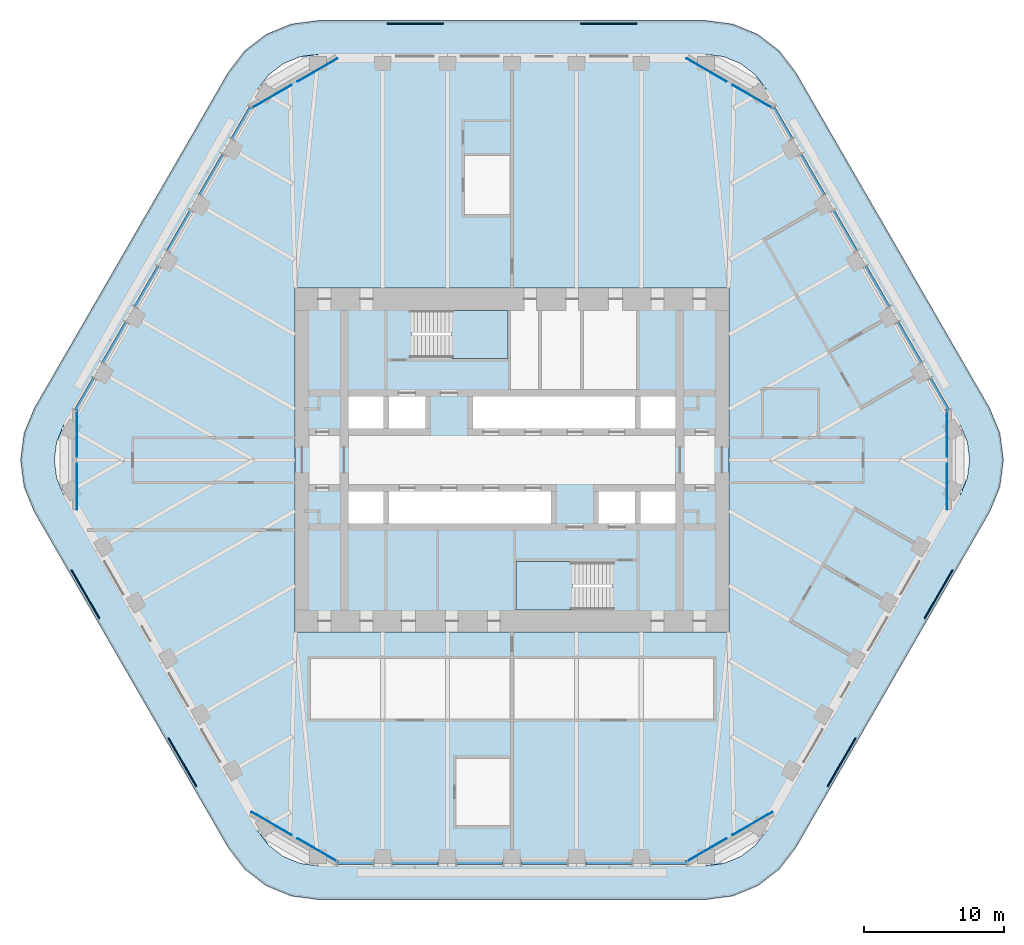
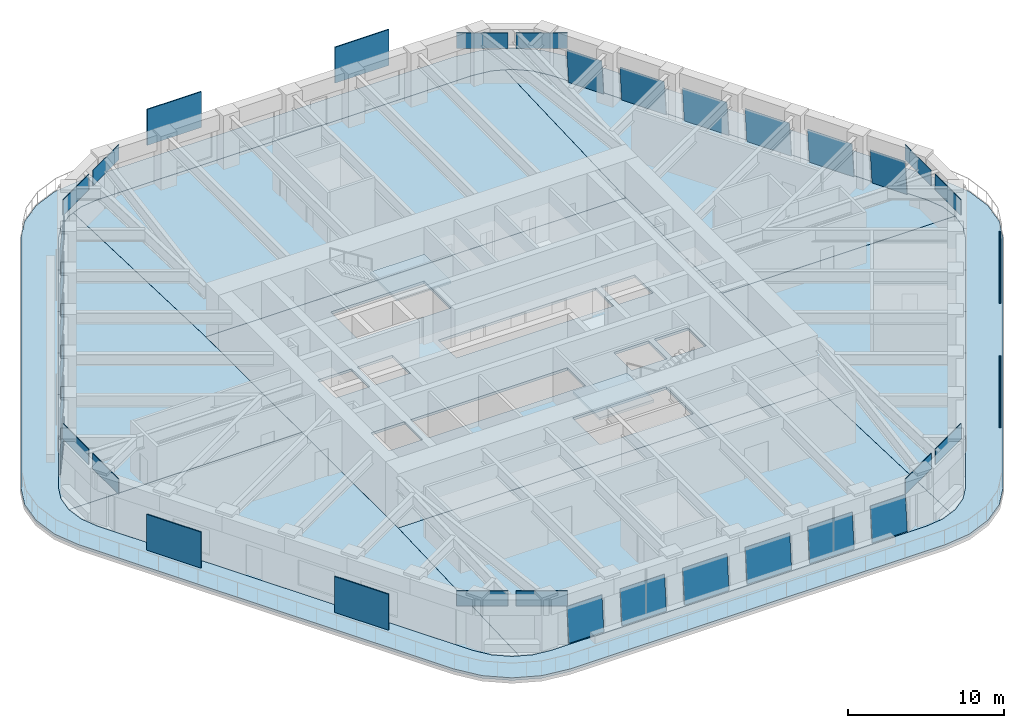
# One storey, part 13 of 20: 36 plates, 10 slabs, 20 elements without a shape of their own.
"""IFC4 building model written with IfcOpenShell, lengths in metres."""

from ifc_helpers import new_model, si_unit, direction, frame, origin, origin_2d, place, context, subcontext, project, spatial, polyline, rectangle, outline, extrude, material, layer, layer_set, type_object, element, aggregate, save


model = new_model("IFC4")

# Units and contexts
model_context = context("Model", 3, precision=1e-05, world=origin(), true_north=direction((0.0, 1.0)))
body_context = subcontext(model_context, "Body", "Model", "MODEL_VIEW")
ifc_project = project(units=[si_unit("LENGTHUNIT", "METRE"), si_unit("AREAUNIT", "SQUARE_METRE"), si_unit("VOLUMEUNIT", "CUBIC_METRE"), si_unit("PLANEANGLEUNIT", "RADIAN"), si_unit("MASSUNIT", "GRAM", prefix="KILO")], contexts=[model_context])

# Site, building, storey
site_placement = place(None, origin())
site = spatial("IfcSite", under=ifc_project, at=site_placement, CompositionType="ELEMENT")
building_placement = place(site_placement, origin())
building = spatial("IfcBuilding", under=site, at=building_placement, Name="Tarfa Lantern Tower", CompositionType="ELEMENT")
storey_placement = place(building_placement, frame((0.0, 0.0, 265.89990234375)))
storey = spatial("IfcBuildingStorey", under=building, at=storey_placement, Name="L60", CompositionType="ELEMENT", Elevation=265.89990234375)

# Slab
ifc_material_1 = material(Name="Concrete C40/50", Category="concrete")
ifc_layer_1 = layer(ifc_material_1, 0.199951171875)
ifc_layer_set_1 = layer_set([ifc_layer_1], Name="BS2 BALCONY SLAB 200")
slab_type_1 = type_object("IfcSlabType", Name="BS2 BALCONY SLAB 200", PredefinedType="FLOOR", material=ifc_layer_set_1)
slab_1_placement = place(storey_placement, frame((0.0, 0.0, -0.199951171875)))
element("IfcSlab", 1, at=slab_1_placement, inside=storey, type_object=slab_type_1, Name="Balcony L60", PredefinedType="FLOOR", context=body_context, shape_type="SweptSolid", body=[
    extrude(outline(polyline([(34.121337890625, 3.699951171875), (20.264892578125, 27.699951171875), (19.089111328125, 29.232666015625), (17.556396484375, 30.40869140625), (15.771728515625, 31.14794921875), (13.8564453125, 31.39990234375), (-13.8564453125, 31.39990234375), (-15.771728515625, 31.14794921875), (-17.556396484375, 30.40869140625), (-19.089111328125, 29.232666015625), (-20.264892578125, 27.699951171875), (-34.121337890625, 3.699951171875), (-34.860595703125, 1.915283203125), (-35.11279296875, 0.0), (-34.860595703125, -1.915283203125), (-34.121337890625, -3.699951171875), (-20.264892578125, -27.699951171875), (-19.089111328125, -29.232666015625), (-17.556396484375, -30.40869140625), (-15.771728515625, -31.14794921875), (-13.8564453125, -31.39990234375), (13.8564453125, -31.39990234375), (15.771728515625, -31.14794921875), (17.556396484375, -30.40869140625), (19.089111328125, -29.232666015625), (20.264892578125, -27.699951171875), (34.121337890625, -3.699951171875), (34.860595703125, -1.915283203125), (35.11279296875, 0.0), (34.860595703125, 1.915283203125), (34.121337890625, 3.699951171875)]), holes=[polyline([(32.04296875, 2.5), (18.1865234375, 26.5), (17.391845703125, 27.53564453125), (16.3564453125, 28.330078125), (15.150390625, 28.82958984375), (13.8564453125, 29.0), (-13.8564453125, 29.0), (-15.150390625, 28.82958984375), (-16.3564453125, 28.330078125), (-17.391845703125, 27.53564453125), (-18.1865234375, 26.5), (-32.04296875, 2.5), (-32.54248046875, 1.294189453125), (-32.712890625, 0.0), (-32.54248046875, -1.294189453125), (-32.04296875, -2.5), (-18.1865234375, -26.5), (-17.391845703125, -27.53564453125), (-16.3564453125, -28.330078125), (-15.150390625, -28.82958984375), (-13.8564453125, -29.0), (13.8564453125, -29.0), (15.150390625, -28.82958984375), (16.3564453125, -28.330078125), (17.391845703125, -27.53564453125), (18.1865234375, -26.5), (32.04296875, -2.5), (32.54248046875, -1.294189453125), (32.712890625, 0.0), (32.54248046875, 1.294189453125), (32.04296875, 2.5)])]), origin(), (0.0, 0.0, 1.0), 0.199951171875),
])

# Curtain wall, plate
ifc_material_2 = material(Name="Aluminium framed curtain wall", Category="aluminium")
curtain_wall_type = type_object("IfcCurtainWallType", Name="CW3 CANTED GLAZING HIGH ZONE 2800", PredefinedType="USERDEFINED", material=ifc_material_2)
curtain_wall_1_placement = place(storey_placement, origin())
curtain_wall_1 = element("IfcCurtainWall", 2, at=curtain_wall_1_placement, inside=storey, type_object=curtain_wall_type, Name="CW3 NE L60", ObjectType="CURTAIN WALL", PredefinedType="USERDEFINED")
ifc_material_3 = material(Name="Laminated double glazing", Category="glass")
ifc_layer_2 = layer(ifc_material_3, 0.028076171875)
ifc_layer_set_2 = layer_set([ifc_layer_2], Name="CWP1 DOUBLE GLAZED PANEL")
plate_type_1 = type_object("IfcPlateType", Name="CWP1 DOUBLE GLAZED PANEL", PredefinedType="CURTAIN_PANEL", material=ifc_layer_set_2)
plate_1_placement = place(storey_placement, frame((31.27392578125, 3.632080078125, 0.0), z_axis=(0.862605487661, 0.497996623416, 0.088944565453), x_axis=(-0.499978528097, 0.866037800231, 3.617793e-06)))
plate_1 = element("IfcPlate", 3, at=plate_1_placement, type_object=plate_type_1, Name="CW3 panel 1.1", PredefinedType="CURTAIN_PANEL", context=body_context, shape_type="SweptSolid", body=[
    extrude(outline(polyline([(0.0, 0.0), (2.5887966981179544, 1.3877787807814457e-17), (2.5887974391712834, 2.745981540411079), (0.00012280612366526554, 2.7460003459662934), (0.0, 0.0)])), origin(), (0.0, 0.0, -1.0), 0.028076171875),
])
aggregate(curtain_wall_1, [plate_1])

curtain_wall_2_placement = place(storey_placement, origin())
curtain_wall_2 = element("IfcCurtainWall", 4, at=curtain_wall_2_placement, inside=storey, type_object=curtain_wall_type, Name="CW3 NE L60", ObjectType="CURTAIN WALL", PredefinedType="USERDEFINED")
plate_2_placement = place(storey_placement, frame((29.314453125, 7.02587890625, 0.0), z_axis=(0.862575705038, 0.498055027356, 0.088906370994), x_axis=(-0.500035172766, 0.866005095826, 0.0)))
plate_2 = element("IfcPlate", 5, at=plate_2_placement, type_object=plate_type_1, Name="CW3 panel 1.1", PredefinedType="CURTAIN_PANEL", context=body_context, shape_type="SweptSolid", body=[
    extrude(outline(polyline([(0.0, 0.0), (3.2888311454247456, -2.7755575615628914e-17), (3.288837959805127, 2.7459815424216334), (6.8143803815395865e-06, 2.7459815424216334), (0.0, 0.0)])), origin(), (0.0, 0.0, -1.0), 0.028076171875),
])
aggregate(curtain_wall_2, [plate_2])

curtain_wall_3_placement = place(storey_placement, origin())
curtain_wall_3 = element("IfcCurtainWall", 6, at=curtain_wall_3_placement, inside=storey, type_object=curtain_wall_type, Name="CW3 NE L60", ObjectType="CURTAIN WALL", PredefinedType="USERDEFINED")
plate_3_placement = place(storey_placement, frame((27.005126953125, 11.02587890625, 0.0), z_axis=(0.862588760912, 0.498025595673, 0.088944564774), x_axis=(-0.500007556049, 0.866021041249, 2.847683e-06)))
plate_3 = element("IfcPlate", 7, at=plate_3_placement, type_object=plate_type_1, Name="CW3 panel 1.1", PredefinedType="CURTAIN_PANEL", context=body_context, shape_type="SweptSolid", body=[
    extrude(outline(polyline([(0.0, 0.0), (3.2888311437391393, -2.7755575615628914e-17), (3.288837961490737, 2.745981540402794), (0.00012888990883615277, 2.7460003456875546), (0.0, 0.0)])), origin(), (0.0, 0.0, -1.0), 0.028076171875),
])
aggregate(curtain_wall_3, [plate_3])

curtain_wall_4_placement = place(storey_placement, origin())
curtain_wall_4 = element("IfcCurtainWall", 8, at=curtain_wall_4_placement, inside=storey, type_object=curtain_wall_type, Name="CW3 NE L60", ObjectType="CURTAIN WALL", PredefinedType="USERDEFINED")
plate_4_placement = place(storey_placement, frame((24.695556640625, 15.02587890625, 0.0), z_axis=(0.862607722597, 0.497999572406, 0.08890637097), x_axis=(-0.499979497339, 0.866037240677, 0.0)))
plate_4 = element("IfcPlate", 9, at=plate_4_placement, type_object=plate_type_1, Name="CW3 panel 1.1", PredefinedType="CURTAIN_PANEL", context=body_context, shape_type="SweptSolid", body=[
    extrude(outline(polyline([(0.0, 0.0), (3.2887090733213356, 0.0), (3.2887001925491877, 2.745981542415729), (-8.880772147612515e-06, 2.745981542415729), (0.0, 0.0)])), origin(), (0.0, 0.0, -1.0), 0.028076171875),
])
aggregate(curtain_wall_4, [plate_4])

curtain_wall_5_placement = place(storey_placement, origin())
curtain_wall_5 = element("IfcCurtainWall", 10, at=curtain_wall_5_placement, inside=storey, type_object=curtain_wall_type, Name="CW3 NE L60", ObjectType="CURTAIN WALL", PredefinedType="USERDEFINED")
plate_5_placement = place(storey_placement, frame((22.38623046875, 19.02587890625, 0.0), z_axis=(0.862588760912, 0.498025595673, 0.088944564774), x_axis=(-0.500007115594, 0.866021295551, -2.847789e-06)))
plate_5 = element("IfcPlate", 11, at=plate_5_placement, type_object=plate_type_1, Name="CW3 panel 1.1", PredefinedType="CURTAIN_PANEL", context=body_context, shape_type="SweptSolid", body=[
    extrude(outline(polyline([(0.0, 0.0), (3.288709071635666, 0.0), (3.2888222595418823, 2.746000346379671), (-8.884143489794055e-06, 2.7459815403968855), (0.0, 0.0)])), origin(), (0.0, 0.0, -1.0), 0.028076171875),
])
aggregate(curtain_wall_5, [plate_5])

curtain_wall_6_placement = place(storey_placement, origin())
curtain_wall_6 = element("IfcCurtainWall", 12, at=curtain_wall_6_placement, inside=storey, type_object=curtain_wall_type, Name="CW3 NE L60", ObjectType="CURTAIN WALL", PredefinedType="USERDEFINED")
plate_6_placement = place(storey_placement, frame((20.076904296875, 23.02587890625, 0.0), z_axis=(0.862605487661, 0.497996623416, 0.088944565453), x_axis=(-0.499978528097, 0.866037800231, 3.617793e-06)))
plate_6 = element("IfcPlate", 13, at=plate_6_placement, type_object=plate_type_1, Name="CW3 panel 1.1", PredefinedType="CURTAIN_PANEL", context=body_context, shape_type="SweptSolid", body=[
    extrude(outline(polyline([(0.0, 0.0), (2.5887966981179544, 1.3877787807814457e-17), (2.5887974391712834, 2.745981540411079), (0.00012280612366526554, 2.7460003459662934), (0.0, 0.0)])), origin(), (0.0, 0.0, -1.0), 0.028076171875),
])
aggregate(curtain_wall_6, [plate_6])

curtain_wall_7_placement = place(storey_placement, origin())
curtain_wall_7 = element("IfcCurtainWall", 14, at=curtain_wall_7_placement, inside=storey, type_object=curtain_wall_type, Name="CW3 NW L60", ObjectType="CURTAIN WALL", PredefinedType="USERDEFINED")
plate_7_placement = place(storey_placement, frame((-18.782470703125, 25.267822265625, 0.0), z_axis=(-0.862605487661, 0.497996623416, 0.088944565453), x_axis=(-0.499978528097, -0.866037800231, -3.617793e-06)))
plate_7 = element("IfcPlate", 15, at=plate_7_placement, type_object=plate_type_1, Name="CW3 panel 1.1", PredefinedType="CURTAIN_PANEL", context=body_context, shape_type="SweptSolid", body=[
    extrude(outline(polyline([(0.0, 0.0), (2.5887966981179544, -1.3877787807814457e-17), (2.588673891994289, 2.7460003459662934), (-7.410533290658136e-07, 2.745981540411079), (0.0, 0.0)])), origin(), (0.0, 0.0, -1.0), 0.028076171875),
])
aggregate(curtain_wall_7, [plate_7])

curtain_wall_8_placement = place(storey_placement, origin())
curtain_wall_8 = element("IfcCurtainWall", 16, at=curtain_wall_8_placement, inside=storey, type_object=curtain_wall_type, Name="CW3 NW L60", ObjectType="CURTAIN WALL", PredefinedType="USERDEFINED")
plate_8_placement = place(storey_placement, frame((-20.741943359375, 21.8740234375, 0.0), z_axis=(-0.862588760912, 0.498025595673, 0.088944564774), x_axis=(-0.500007115594, -0.866021295551, 2.847789e-06)))
plate_8 = element("IfcPlate", 17, at=plate_8_placement, type_object=plate_type_1, Name="CW3 panel 1.1", PredefinedType="CURTAIN_PANEL", context=body_context, shape_type="SweptSolid", body=[
    extrude(outline(polyline([(0.0, 0.0), (3.288709071635666, 0.0), (3.2887179557791564, 2.7459815403968855), (-0.00011318790621565488, 2.746000346379671), (0.0, 0.0)])), origin(), (0.0, 0.0, -1.0), 0.028076171875),
])
aggregate(curtain_wall_8, [plate_8])

curtain_wall_9_placement = place(storey_placement, origin())
curtain_wall_9 = element("IfcCurtainWall", 18, at=curtain_wall_9_placement, inside=storey, type_object=curtain_wall_type, Name="CW3 NW L60", ObjectType="CURTAIN WALL", PredefinedType="USERDEFINED")
plate_9_placement = place(storey_placement, frame((-23.05126953125, 17.8740234375, 0.0), z_axis=(-0.862607722597, 0.497999572406, 0.08890637097), x_axis=(-0.499979497339, -0.866037240677, 0.0)))
plate_9 = element("IfcPlate", 19, at=plate_9_placement, type_object=plate_type_1, Name="CW3 panel 1.1", PredefinedType="CURTAIN_PANEL", context=body_context, shape_type="SweptSolid", body=[
    extrude(outline(polyline([(0.0, 0.0), (3.2887090733213356, 0.0), (3.288717954093483, 2.745981542415729), (8.880772147612515e-06, 2.745981542415729), (0.0, 0.0)])), origin(), (0.0, 0.0, -1.0), 0.028076171875),
])
aggregate(curtain_wall_9, [plate_9])

curtain_wall_10_placement = place(storey_placement, origin())
curtain_wall_10 = element("IfcCurtainWall", 20, at=curtain_wall_10_placement, inside=storey, type_object=curtain_wall_type, Name="CW3 NW L60", ObjectType="CURTAIN WALL", PredefinedType="USERDEFINED")
plate_10_placement = place(storey_placement, frame((-25.360595703125, 13.8740234375, 0.0), z_axis=(-0.862588760912, 0.498025595673, 0.088944564774), x_axis=(-0.500007556049, -0.866021041249, -2.847683e-06)))
plate_10 = element("IfcPlate", 21, at=plate_10_placement, type_object=plate_type_1, Name="CW3 panel 1.1", PredefinedType="CURTAIN_PANEL", context=body_context, shape_type="SweptSolid", body=[
    extrude(outline(polyline([(0.0, 0.0), (3.2888311437391393, 2.7755575615628914e-17), (3.2887022538303037, 2.7460003456875546), (-6.817751597527018e-06, 2.745981540402794), (0.0, 0.0)])), origin(), (0.0, 0.0, -1.0), 0.028076171875),
])
aggregate(curtain_wall_10, [plate_10])

curtain_wall_11_placement = place(storey_placement, origin())
curtain_wall_11 = element("IfcCurtainWall", 22, at=curtain_wall_11_placement, inside=storey, type_object=curtain_wall_type, Name="CW3 NW L60", ObjectType="CURTAIN WALL", PredefinedType="USERDEFINED")
plate_11_placement = place(storey_placement, frame((-27.669921875, 9.8740234375, 0.0), z_axis=(-0.862575705038, 0.498055027356, 0.088906370994), x_axis=(-0.500035172766, -0.866005095826, 0.0)))
plate_11 = element("IfcPlate", 23, at=plate_11_placement, type_object=plate_type_1, Name="CW3 panel 1.1", PredefinedType="CURTAIN_PANEL", context=body_context, shape_type="SweptSolid", body=[
    extrude(outline(polyline([(0.0, 0.0), (3.2888311454247456, 2.7755575615628914e-17), (3.2888243310443643, 2.7459815424216334), (-6.8143803815395865e-06, 2.7459815424216334), (0.0, 0.0)])), origin(), (0.0, 0.0, -1.0), 0.028076171875),
])
aggregate(curtain_wall_11, [plate_11])

curtain_wall_12_placement = place(storey_placement, origin())
curtain_wall_12 = element("IfcCurtainWall", 24, at=curtain_wall_12_placement, inside=storey, type_object=curtain_wall_type, Name="CW3 NW L60", ObjectType="CURTAIN WALL", PredefinedType="USERDEFINED")
plate_12_placement = place(storey_placement, frame((-29.9794921875, 5.8740234375, 0.0), z_axis=(-0.862605487661, 0.497996623416, 0.088944565453), x_axis=(-0.499978528097, -0.866037800231, -3.617793e-06)))
plate_12 = element("IfcPlate", 25, at=plate_12_placement, type_object=plate_type_1, Name="CW3 panel 1.1", PredefinedType="CURTAIN_PANEL", context=body_context, shape_type="SweptSolid", body=[
    extrude(outline(polyline([(0.0, 0.0), (2.5887966981179544, -1.3877787807814457e-17), (2.588673891994289, 2.7460003459662934), (-7.410533290658136e-07, 2.745981540411079), (0.0, 0.0)])), origin(), (0.0, 0.0, -1.0), 0.028076171875),
])
aggregate(curtain_wall_12, [plate_12])

curtain_wall_13_placement = place(storey_placement, origin())
curtain_wall_13 = element("IfcCurtainWall", 26, at=curtain_wall_13_placement, inside=storey, type_object=curtain_wall_type, Name="CW3 S L60", ObjectType="CURTAIN WALL", PredefinedType="USERDEFINED")
plate_13_placement = place(storey_placement, frame((-12.491455078125, -28.89990234375, 0.0), z_axis=(0.0, -0.996039814532, 0.088908311571), x_axis=(1.0, 0.0, 0.0)))
plate_13 = element("IfcPlate", 27, at=plate_13_placement, type_object=plate_type_1, Name="CW3 panel 1.1", PredefinedType="CURTAIN_PANEL", context=body_context, shape_type="SweptSolid", body=[
    extrude(outline(polyline([(0.0, 0.0), (2.5888671875, 0.0), (2.5888671875, 2.745982019965007), (0.0, 2.745982019965007), (0.0, 0.0)])), origin(), (0.0, 0.0, -1.0), 0.028076171875),
])
aggregate(curtain_wall_13, [plate_13])

curtain_wall_14_placement = place(storey_placement, origin())
curtain_wall_14 = element("IfcCurtainWall", 28, at=curtain_wall_14_placement, inside=storey, type_object=curtain_wall_type, Name="CW3 S L60", ObjectType="CURTAIN WALL", PredefinedType="USERDEFINED")
plate_14_placement = place(storey_placement, frame((-8.572509765625, -28.89990234375, 0.0), z_axis=(0.0, -0.996039814532, 0.088908311571), x_axis=(1.0, 0.0, 0.0)))
plate_14 = element("IfcPlate", 29, at=plate_14_placement, type_object=plate_type_1, Name="CW3 panel 1.1", PredefinedType="CURTAIN_PANEL", context=body_context, shape_type="SweptSolid", body=[
    extrude(outline(polyline([(0.0, 0.0), (3.288818359375, 0.0), (3.288818359375, 2.745982019965007), (0.0, 2.745982019965007), (0.0, 0.0)])), origin(), (0.0, 0.0, -1.0), 0.028076171875),
])
aggregate(curtain_wall_14, [plate_14])

curtain_wall_15_placement = place(storey_placement, origin())
curtain_wall_15 = element("IfcCurtainWall", 30, at=curtain_wall_15_placement, inside=storey, type_object=curtain_wall_type, Name="CW3 S L60", ObjectType="CURTAIN WALL", PredefinedType="USERDEFINED")
plate_15_placement = place(storey_placement, frame((-3.953857421875, -28.89990234375, 0.0), z_axis=(0.0, -0.996039814532, 0.088908311571), x_axis=(1.0, 0.0, 0.0)))
plate_15 = element("IfcPlate", 31, at=plate_15_placement, type_object=plate_type_1, Name="CW3 panel 1.1", PredefinedType="CURTAIN_PANEL", context=body_context, shape_type="SweptSolid", body=[
    extrude(outline(polyline([(0.0, 0.0), (3.288818359375, 0.0), (3.288818359375, 2.745982019965007), (0.0, 2.745982019965007), (0.0, 0.0)])), origin(), (0.0, 0.0, -1.0), 0.028076171875),
])
aggregate(curtain_wall_15, [plate_15])

curtain_wall_16_placement = place(storey_placement, origin())
curtain_wall_16 = element("IfcCurtainWall", 32, at=curtain_wall_16_placement, inside=storey, type_object=curtain_wall_type, Name="CW3 S L60", ObjectType="CURTAIN WALL", PredefinedType="USERDEFINED")
plate_16_placement = place(storey_placement, frame((0.6650390625, -28.89990234375, 0.0), z_axis=(0.0, -0.996039814532, 0.088908311571), x_axis=(1.0, 0.0, 0.0)))
plate_16 = element("IfcPlate", 33, at=plate_16_placement, type_object=plate_type_1, Name="CW3 panel 1.1", PredefinedType="CURTAIN_PANEL", context=body_context, shape_type="SweptSolid", body=[
    extrude(outline(polyline([(0.0, 0.0), (3.288818359375, 0.0), (3.288818359375, 2.745982019965007), (0.0, 2.745982019965007), (0.0, 0.0)])), origin(), (0.0, 0.0, -1.0), 0.028076171875),
])
aggregate(curtain_wall_16, [plate_16])

curtain_wall_17_placement = place(storey_placement, origin())
curtain_wall_17 = element("IfcCurtainWall", 34, at=curtain_wall_17_placement, inside=storey, type_object=curtain_wall_type, Name="CW3 S L60", ObjectType="CURTAIN WALL", PredefinedType="USERDEFINED")
plate_17_placement = place(storey_placement, frame((5.28369140625, -28.89990234375, 0.0), z_axis=(0.0, -0.996039814532, 0.088908311571), x_axis=(1.0, 0.0, 0.0)))
plate_17 = element("IfcPlate", 35, at=plate_17_placement, type_object=plate_type_1, Name="CW3 panel 1.1", PredefinedType="CURTAIN_PANEL", context=body_context, shape_type="SweptSolid", body=[
    extrude(outline(polyline([(0.0, 0.0), (3.288818359375, 0.0), (3.288818359375, 2.745982019965007), (0.0, 2.745982019965007), (0.0, 0.0)])), origin(), (0.0, 0.0, -1.0), 0.028076171875),
])
aggregate(curtain_wall_17, [plate_17])

curtain_wall_18_placement = place(storey_placement, origin())
curtain_wall_18 = element("IfcCurtainWall", 36, at=curtain_wall_18_placement, inside=storey, type_object=curtain_wall_type, Name="CW3 S L60", ObjectType="CURTAIN WALL", PredefinedType="USERDEFINED")
plate_18_placement = place(storey_placement, frame((9.902587890625, -28.89990234375, 0.0), z_axis=(0.0, -0.996039814532, 0.088908311571), x_axis=(1.0, 0.0, 0.0)))
plate_18 = element("IfcPlate", 37, at=plate_18_placement, type_object=plate_type_1, Name="CW3 panel 1.1", PredefinedType="CURTAIN_PANEL", context=body_context, shape_type="SweptSolid", body=[
    extrude(outline(polyline([(0.0, 0.0), (2.5888671875, 0.0), (2.5888671875, 2.745982019965007), (0.0, 2.745982019965007), (0.0, 0.0)])), origin(), (0.0, 0.0, -1.0), 0.028076171875),
])
aggregate(curtain_wall_18, [plate_18])

# Slabs
ifc_layer_3 = layer(ifc_material_1, 0.199951171875)
ifc_layer_set_3 = layer_set([ifc_layer_3], Name="FS1 FLOOR SLAB 200")
slab_type_2 = type_object("IfcSlabType", Name="FS1 FLOOR SLAB 200", PredefinedType="FLOOR", material=ifc_layer_set_3)
slab_2_placement = place(storey_placement, frame((0.0, 0.0, -0.199951171875)))
element("IfcSlab", 38, at=slab_2_placement, inside=storey, type_object=slab_type_2, Name="Floor slab L60", PredefinedType="FLOOR", context=body_context, shape_type="SweptSolid", body=[
    extrude(outline(polyline([(-15.5, -12.300048828125), (15.5, -12.300048828125), (15.5, 12.300048828125), (-15.5, 12.300048828125), (-15.5, -12.300048828125)]), holes=[polyline([(-11.699951171875, 2.25), (-9.199951171875, 2.25), (-9.199951171875, 4.550048828125), (-11.699951171875, 4.550048828125), (-11.699951171875, 2.25)]), polyline([(-8.800048828125, 2.25), (-6.199951171875, 2.25), (-6.199951171875, 4.550048828125), (-8.800048828125, 4.550048828125), (-8.800048828125, 2.25)]), polyline([(-2.800048828125, 2.25), (8.800048828125, 2.25), (8.800048828125, 4.550048828125), (-2.800048828125, 4.550048828125), (-2.800048828125, 2.25)]), polyline([(9.199951171875, 2.25), (11.699951171875, 2.25), (11.699951171875, 4.550048828125), (9.199951171875, 4.550048828125), (9.199951171875, 2.25)]), polyline([(11.699951171875, -2.25), (9.199951171875, -2.25), (9.199951171875, -4.550048828125), (11.699951171875, -4.550048828125), (11.699951171875, -2.25)]), polyline([(8.800048828125, -2.25), (6.199951171875, -2.25), (6.199951171875, -4.550048828125), (8.800048828125, -4.550048828125), (8.800048828125, -2.25)]), polyline([(2.800048828125, -2.25), (-8.800048828125, -2.25), (-8.800048828125, -4.550048828125), (2.800048828125, -4.550048828125), (2.800048828125, -2.25)]), polyline([(-9.199951171875, -2.25), (-11.699951171875, -2.25), (-11.699951171875, -4.550048828125), (-9.199951171875, -4.550048828125), (-9.199951171875, -2.25)]), polyline([(-7.199951171875, 7.25), (-0.300048828125, 7.25), (-0.300048828125, 10.699951171875), (-7.199951171875, 10.699951171875), (-7.199951171875, 7.25)]), polyline([(7.199951171875, -7.25), (0.300048828125, -7.25), (0.300048828125, -10.699951171875), (7.199951171875, -10.699951171875), (7.199951171875, -7.25)])]), origin(), (0.0, 0.0, 1.0), 0.199951171875),
])
slab_3_placement = place(storey_placement, frame((0.0, 0.0, -0.199951171875)))
element("IfcSlab", 39, at=slab_3_placement, inside=storey, type_object=slab_type_2, Name="Floor slab L60 NE bay", PredefinedType="FLOOR", context=body_context, shape_type="SweptSolid", body=[
    extrude(outline(polyline([(32.041259765625, 2.4990234375), (18.184814453125, 26.498779296875), (17.390625, 27.5341796875), (16.35546875, 28.328369140625), (15.927490234375, 28.505615234375), (15.501953125, 12.300048828125), (15.501953125, 0.001953125), (32.71044921875, 0.001953125), (32.54052734375, 1.29345703125), (32.041259765625, 2.4990234375)])), origin(), (0.0, 0.0, 1.0), 0.199951171875),
])
slab_4_placement = place(storey_placement, frame((0.0, 0.0, -0.199951171875)))
element("IfcSlab", 40, at=slab_4_placement, inside=storey, type_object=slab_type_2, Name="Floor slab L60 N bay", PredefinedType="FLOOR", context=body_context, shape_type="SweptSolid", body=[
    extrude(outline(polyline([(-15.498046875, 12.302001953125), (15.498046875, 12.302001953125), (15.923583984375, 28.50732421875), (15.14990234375, 28.82763671875), (13.856201171875, 28.998046875), (-13.856201171875, 28.998046875), (-15.14990234375, 28.82763671875), (-15.923583984375, 28.50732421875), (-15.498046875, 12.302001953125)])), origin(), (0.0, 0.0, 1.0), 0.199951171875),
])
slab_5_placement = place(storey_placement, frame((0.0, 0.0, -0.199951171875)))
element("IfcSlab", 41, at=slab_5_placement, inside=storey, type_object=slab_type_2, Name="Floor slab L60 NW bay", PredefinedType="FLOOR", context=body_context, shape_type="SweptSolid", body=[
    extrude(outline(polyline([(-15.501953125, 0.001953125), (-15.501953125, 12.300048828125), (-15.927490234375, 28.505615234375), (-16.35546875, 28.328369140625), (-17.390625, 27.5341796875), (-18.184814453125, 26.498779296875), (-32.041259765625, 2.4990234375), (-32.54052734375, 1.29345703125), (-32.71044921875, 0.001953125), (-15.501953125, 0.001953125)])), origin(), (0.0, 0.0, 1.0), 0.199951171875),
])
slab_6_placement = place(storey_placement, frame((0.0, 0.0, -0.199951171875)))
element("IfcSlab", 42, at=slab_6_placement, inside=storey, type_object=slab_type_2, Name="Floor slab L60 SW bay", PredefinedType="FLOOR", context=body_context, shape_type="SweptSolid", body=[
    extrude(outline(polyline([(-15.501953125, -12.300048828125), (-15.501953125, -0.001953125), (-32.71044921875, -0.001953125), (-32.54052734375, -1.29345703125), (-32.041259765625, -2.4990234375), (-18.184814453125, -26.498779296875), (-17.390625, -27.5341796875), (-16.35546875, -28.328369140625), (-15.927490234375, -28.505615234375), (-15.501953125, -12.300048828125)])), origin(), (0.0, 0.0, 1.0), 0.199951171875),
])
slab_7_placement = place(storey_placement, frame((0.0, 0.0, -0.199951171875)))
element("IfcSlab", 43, at=slab_7_placement, inside=storey, type_object=slab_type_2, Name="Floor slab L60 S bay", PredefinedType="FLOOR", context=body_context, shape_type="SweptSolid", body=[
    extrude(outline(polyline([(15.498046875, -12.302001953125), (-15.498046875, -12.302001953125), (-15.923583984375, -28.50732421875), (-15.14990234375, -28.82763671875), (-13.856201171875, -28.998046875), (13.856201171875, -28.998046875), (15.14990234375, -28.82763671875), (15.923583984375, -28.50732421875), (15.498046875, -12.302001953125)])), origin(), (0.0, 0.0, 1.0), 0.199951171875),
])
slab_8_placement = place(storey_placement, frame((0.0, 0.0, -0.199951171875)))
element("IfcSlab", 44, at=slab_8_placement, inside=storey, type_object=slab_type_2, Name="Floor slab L60 SE bay", PredefinedType="FLOOR", context=body_context, shape_type="SweptSolid", body=[
    extrude(outline(polyline([(15.501953125, -0.001953125), (15.501953125, -12.300048828125), (15.927490234375, -28.505615234375), (16.35546875, -28.328369140625), (17.390625, -27.5341796875), (18.184814453125, -26.498779296875), (32.041259765625, -2.4990234375), (32.54052734375, -1.29345703125), (32.71044921875, -0.001953125), (15.501953125, -0.001953125)])), origin(), (0.0, 0.0, 1.0), 0.199951171875),
])

# Plates
ifc_material_4 = material(Name="Aluminium fascia panel", Category="aluminium")
ifc_layer_4 = layer(ifc_material_4, 0.050048828125)
ifc_layer_set_4 = layer_set([ifc_layer_4], Name="LF1 LOGGIA HEAD FASCIA 50")
plate_type_2 = type_object("IfcPlateType", Name="LF1 LOGGIA HEAD FASCIA 50", PredefinedType="USERDEFINED", material=ifc_layer_set_4)
for number, where, z_axis, x_axis, name in (
    (45, (17.18994140625, 25.972900390625, 2.80029296875), (0.0, 0.0, 1.0), (-0.866025403784, 0.5, 0.0), "Garden head fascia NE-N"),
    (46, (13.898193359375, 27.873291015625, 2.80029296875), (0.0, 0.0, 1.0), (-0.866025403784, 0.5, 0.0), "Garden head fascia NE-N"),
    (47, (-13.898193359375, 27.873291015625, 2.80029296875), (0.0, 0.0, 1.0), (-0.866025403784, -0.5, 0.0), "Garden head fascia N-NW"),
    (48, (-17.18994140625, 25.972900390625, 2.80029296875), (0.0, 0.0, 1.0), (-0.866025403784, -0.5, 0.0), "Garden head fascia N-NW"),
    (49, (-31.088134765625, 1.900390625, 2.80029296875), (0.0, 0.0, 1.0), (0.0, -1.0, 0.0), "Garden head fascia NW-SW"),
    (50, (-31.088134765625, -1.900390625, 2.80029296875), (0.0, 0.0, 1.0), (0.0, -1.0, 0.0), "Garden head fascia NW-SW"),
    (51, (-17.18994140625, -25.972900390625, 2.80029296875), (0.0, 0.0, 1.0), (0.866025403784, -0.5, 0.0), "Garden head fascia SW-S"),
    (52, (-13.898193359375, -27.873291015625, 2.80029296875), (0.0, 0.0, 1.0), (0.866025403784, -0.5, 0.0), "Garden head fascia SW-S"),
    (53, (13.898193359375, -27.873291015625, 2.80029296875), (0.0, 0.0, 1.0), (0.866025403784, 0.5, 0.0), "Garden head fascia S-SE"),
    (54, (17.18994140625, -25.972900390625, 2.80029296875), (0.0, 0.0, 1.0), (0.866025403784, 0.5, 0.0), "Garden head fascia S-SE"),
    (55, (31.088134765625, -1.900390625, 2.80029296875), (0.0, 0.0, 1.0), (0.0, 1.0, 0.0), "Garden head fascia SE-NE"),
    (56, (31.088134765625, 1.900390625, 2.80029296875), (0.0, 0.0, 1.0), (0.0, 1.0, 0.0), "Garden head fascia SE-NE"),
):
    element("IfcPlate", number, at=place(storey_placement, frame(where, z_axis=z_axis, x_axis=x_axis)), inside=storey, type_object=plate_type_2, Name=name, ObjectType="FASCIA", PredefinedType="USERDEFINED", context=body_context, shape_type="SweptSolid", body=[
        extrude(rectangle(XDim=3.30078125, YDim=0.050048828125, at=origin_2d()), origin(), (0.0, 0.0, 1.0), 1.199951171875),
    ])
ifc_material_5 = material(Name="Perforated limestone screen", Category="masonry")
ifc_layer_5 = layer(ifc_material_5, 0.080078125)
ifc_layer_set_5 = layer_set([ifc_layer_5], Name="SC1 STONE SCREEN 80")
plate_type_3 = type_object("IfcPlateType", Name="SC1 STONE SCREEN 80", PredefinedType="USERDEFINED", material=ifc_layer_set_5)
for number, where, z_axis, x_axis, name in (
    (57, (6.92822265625, 31.199951171875, 1.2001953125), (0.0, 0.0, 1.0), (-1.0, 0.0, 0.0), "Stone screen N 1"),
    (58, (-6.92822265625, 31.199951171875, 1.2001953125), (0.0, 0.0, 1.0), (-1.0, 0.0, 0.0), "Stone screen N 2"),
    (59, (-30.484130859375, -9.60009765625, 1.2001953125), (0.0, 0.0, 1.0), (0.5, -0.866025403784, 0.0), "Stone screen SW 1"),
    (60, (-23.555908203125, -21.60009765625, 1.2001953125), (0.0, 0.0, 1.0), (0.5, -0.866025403784, 0.0), "Stone screen SW 2"),
    (61, (23.555908203125, -21.60009765625, 1.2001953125), (0.0, 0.0, 1.0), (0.5, 0.866025403784, 0.0), "Stone screen SE 1"),
    (62, (30.484130859375, -9.60009765625, 1.2001953125), (0.0, 0.0, 1.0), (0.5, 0.866025403784, 0.0), "Stone screen SE 2"),
):
    element("IfcPlate", number, at=place(storey_placement, frame(where, z_axis=z_axis, x_axis=x_axis)), inside=storey, type_object=plate_type_3, Name=name, ObjectType="SCREEN", PredefinedType="USERDEFINED", context=body_context, shape_type="SweptSolid", body=[
        extrude(rectangle(XDim=4.0, YDim=0.080078125, at=origin_2d()), origin(), (0.0, 0.0, 1.0), 2.800048828125),
    ])

# Stair, slab
stair_type = type_object("IfcStairType", Name="ST-T10 HALF-TURN STAIR 4200 RISE", PredefinedType="HALF_TURN_STAIR", material=ifc_material_1)
stair_1_placement = place(storey_placement, origin())
stair_1 = element("IfcStair", 63, at=stair_1_placement, inside=storey, type_object=stair_type, Name="Stair ST1", PredefinedType="HALF_TURN_STAIR")
ifc_layer_6 = layer(ifc_material_1, 0.199951171875)
ifc_layer_set_6 = layer_set([ifc_layer_6], Name="SL1 STAIR LANDING 200")
slab_type_3 = type_object("IfcSlabType", Name="SL1 STAIR LANDING 200", PredefinedType="LANDING", material=ifc_layer_set_6)
slab_9_placement = place(storey_placement, frame((0.0, 0.0, 1.900146484375)))
slab_9 = element("IfcSlab", 64, at=slab_9_placement, type_object=slab_type_3, Name="ST1 landing 1", PredefinedType="LANDING", context=body_context, shape_type="SweptSolid", body=[
    extrude(outline(polyline([(-4.320068359375, 7.25), (-0.300048828125, 7.25), (-0.300048828125, 10.699951171875), (-4.320068359375, 10.699951171875), (-4.320068359375, 7.25)])), origin(), (0.0, 0.0, 1.0), 0.199951171875),
])
aggregate(stair_1, [slab_9])

stair_2_placement = place(storey_placement, origin())
stair_2 = element("IfcStair", 65, at=stair_2_placement, inside=storey, type_object=stair_type, Name="Stair ST2", PredefinedType="HALF_TURN_STAIR")
slab_10_placement = place(storey_placement, frame((0.0, 0.0, 1.900146484375)))
slab_10 = element("IfcSlab", 66, at=slab_10_placement, type_object=slab_type_3, Name="ST2 landing 1", PredefinedType="LANDING", context=body_context, shape_type="SweptSolid", body=[
    extrude(outline(polyline([(4.320068359375, -7.25), (0.300048828125, -7.25), (0.300048828125, -10.699951171875), (4.320068359375, -10.699951171875), (4.320068359375, -7.25)])), origin(), (0.0, 0.0, 1.0), 0.199951171875),
])
aggregate(stair_2, [slab_10])

save(model, "model.ifc")
